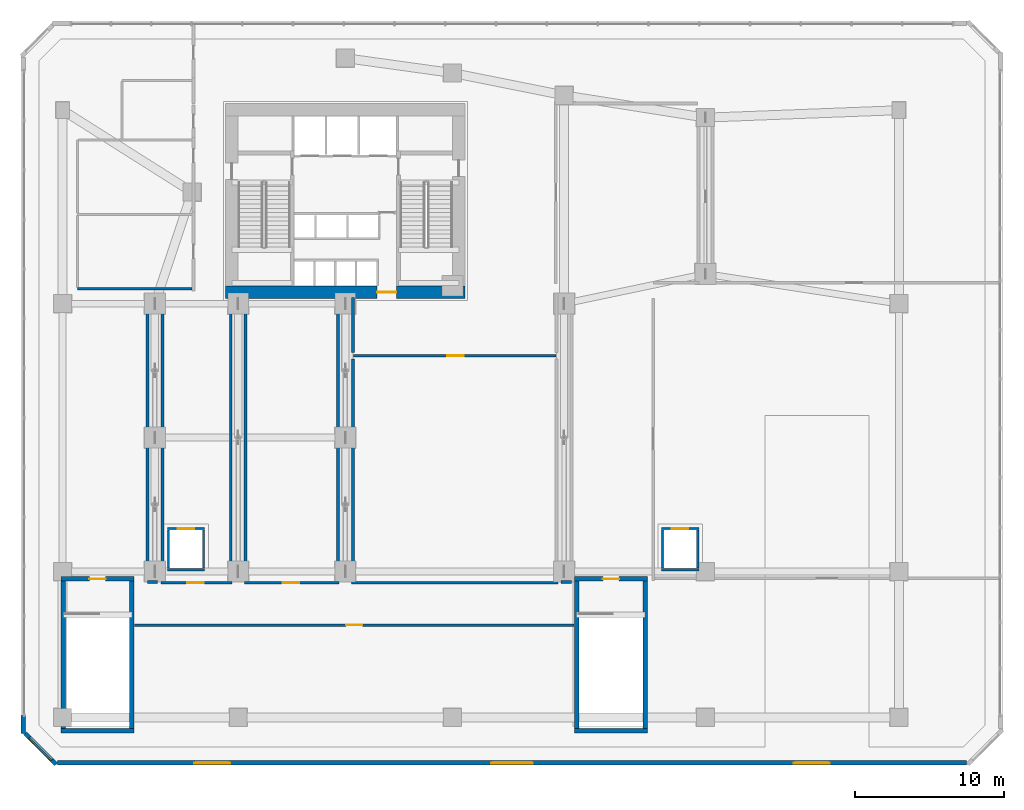
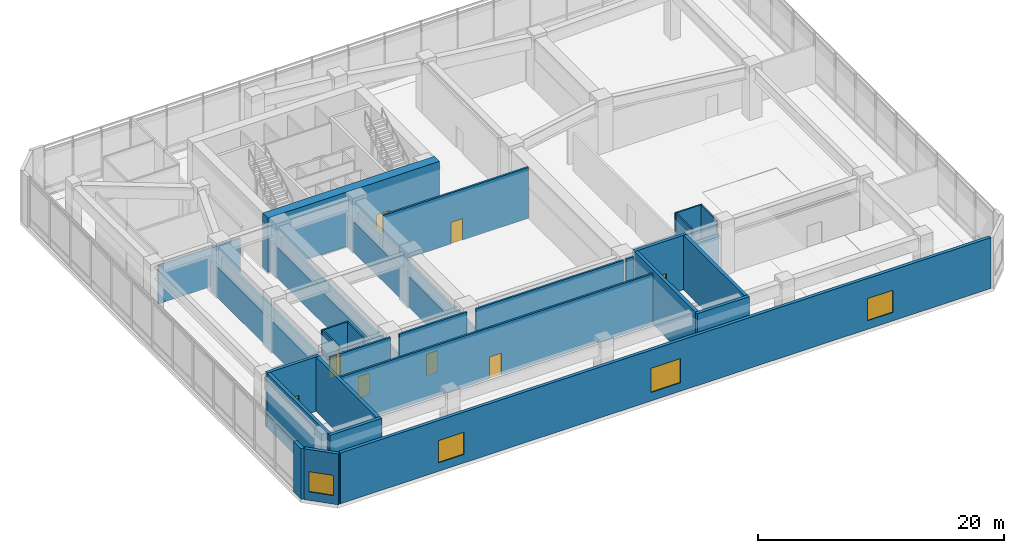
# One storey, part 16 of 21: 35 walls, 9 doors, 4 windows, 13 openings.
"""IFC4 building model written with IfcOpenShell, lengths in metres."""

from ifc_helpers import new_model, si_unit, direction, frame, frame_2d, origin, place, context, subcontext, project, spatial, rectangle, extrude, source, transform, mapped, material, layer, layer_set, type_object, element, fill, save


model = new_model("IFC4")

# Units and contexts
model_context = context("Model", 3, precision=1e-05, world=origin(), true_north=direction((0.0, 1.0)))
body_context = subcontext(model_context, "Body", "Model", "MODEL_VIEW")
ifc_project = project(units=[si_unit("LENGTHUNIT", "METRE"), si_unit("AREAUNIT", "SQUARE_METRE"), si_unit("VOLUMEUNIT", "CUBIC_METRE"), si_unit("PLANEANGLEUNIT", "RADIAN"), si_unit("MASSUNIT", "GRAM", prefix="KILO")], contexts=[model_context])

# Site, building, storey
site_placement = place(None, origin())
site = spatial("IfcSite", under=ifc_project, at=site_placement, CompositionType="ELEMENT")
building_placement = place(site_placement, origin())
building = spatial("IfcBuilding", under=site, at=building_placement, Name="Calvemar Wedge Station Tower", CompositionType="ELEMENT")
storey_placement = place(building_placement, frame((0.0, 0.0, 21.60009765625)))
storey = spatial("IfcBuildingStorey", under=building, at=storey_placement, Name="L05", CompositionType="ELEMENT", Elevation=21.60009765625)

# Walls
ifc_material_1 = material(Name="Concrete C50", Category="concrete")
ifc_layer_1 = layer(ifc_material_1, 0.300048828125)
ifc_layer_set_1 = layer_set([ifc_layer_1], Name="Concrete C50")
wall_type_1 = type_object("IfcWallType", Name="SW-CORE-300", PredefinedType="SHEAR", material=ifc_layer_set_1)
for number, where, z_axis, x_axis, name in (
    (1, (4.85009765625, 4.449951171875, 0.0), (0.0, 0.0, 1.0), (0.0, 1.0, 0.0), "Storey L05 Podium Stair STP1 Structural Wall W"),
    (2, (9.449951171875, 4.449951171875, 0.0), (0.0, 0.0, 1.0), (0.0, 1.0, 0.0), "Storey L05 Podium Stair STP1 Structural Wall E"),
):
    element("IfcWall", number, at=place(storey_placement, frame(where, z_axis=z_axis, x_axis=x_axis)), inside=storey, type_object=wall_type_1, Name=name, PredefinedType="SHEAR", context=body_context, shape_type="SweptSolid", body=[
        extrude(rectangle(XDim=9.900146484375, YDim=0.300048828125, at=frame_2d((4.9501953125, 0.0))), origin(), (0.0, 0.0, 1.0), 5.39990234375),
    ])
wall_1_placement = place(storey_placement, frame((4.699951171875, 4.300048828125, 0.0), z_axis=(0.0, 0.0, 1.0), x_axis=(1.0, 0.0, 0.0)))
element("IfcWall", 3, at=wall_1_placement, inside=storey, type_object=wall_type_1, Name="Storey L05 Podium Stair STP1 Structural Wall S", PredefinedType="SHEAR", context=body_context, shape_type="SweptSolid", body=[
    extrude(rectangle(XDim=4.900146484375, YDim=0.300048828125, at=frame_2d((2.4501953125, 0.0))), origin(), (0.0, 0.0, 1.0), 5.39990234375),
])

# Wall, opening, door
wall_2_placement = place(storey_placement, frame((4.699951171875, 14.5, 0.0), z_axis=(0.0, 0.0, 1.0), x_axis=(1.0, 0.0, 0.0)))
wall_2 = element("IfcWall", 4, at=wall_2_placement, inside=storey, type_object=wall_type_1, Name="Storey L05 Podium Stair STP1 Structural Wall N", PredefinedType="SHEAR", context=body_context, shape_type="SweptSolid", body=[
    extrude(rectangle(XDim=4.900146484375, YDim=0.300048828125, at=frame_2d((2.4501953125, 0.0))), origin(), (0.0, 0.0, 1.0), 5.39990234375),
])
shared_shape_1 = source(origin(), body_context, "Body", "SweptSolid", [
    extrude(rectangle(XDim=1.10009765625, YDim=2.14990234375, at=frame_2d((0.550048828125, 1.074951171875))), frame((0.0, 0.16015625, 0.0), z_axis=(0.0, -1.0, 0.0), x_axis=(1.0, 0.0, 0.0)), (0.0, 0.0, 1.0), 0.320068359375),
])
opening_1_placement = place(wall_2_placement, frame((1.89990234375, 0.0, 0.0)))
opening_1 = element("IfcOpeningElement", 5, at=opening_1_placement, cuts=wall_2, Name="Opening FD-90", PredefinedType="OPENING", context=body_context, shape_type="MappedRepresentation", body=[
    mapped(shared_shape_1, transform((0.0, 0.0, 0.0), scale=1.0)),
])
ifc_material_2 = material(Name="Galvanized fire-rated steel door leaf P-90", Category="steel")
door_type_1 = type_object("IfcDoorType", Name="DR-FD90-1100", OperationType="NOTDEFINED", PredefinedType="DOOR", material=ifc_material_2)
shared_shape_2 = source(origin(), body_context, "Body", "SweptSolid", [
    extrude(rectangle(XDim=1.10009765625, YDim=2.14990234375, at=frame_2d((0.550048828125, 1.074951171875))), frame((0.0, 0.02490234375, 0.0), z_axis=(0.0, -1.0, 0.0), x_axis=(1.0, 0.0, 0.0)), (0.0, 0.0, 1.0), 0.050048828125),
])
door_1_placement = place(opening_1_placement, origin())
door_1 = element("IfcDoor", 6, at=door_1_placement, inside=storey, type_object=door_type_1, Name="L05 Exit Stair ST-P1 Door", OperationType="SINGLE_SWING_RIGHT", OverallHeight=2.14990234375, OverallWidth=1.10009765625, PredefinedType="DOOR", context=body_context, shape_type="MappedRepresentation", body=[
    mapped(shared_shape_2, transform((0.0, 0.0, 0.0), scale=1.0)),
])
fill(opening_1, door_1)

# Walls
for number, where, z_axis, x_axis, name in (
    (7, (39.35009765625, 4.449951171875, 0.0), (0.0, 0.0, 1.0), (0.0, 1.0, 0.0), "Storey L05 Podium Stair STP2 Structural Wall W"),
    (8, (43.949951171875, 4.449951171875, 0.0), (0.0, 0.0, 1.0), (0.0, 1.0, 0.0), "Storey L05 Podium Stair STP2 Structural Wall E"),
):
    element("IfcWall", number, at=place(storey_placement, frame(where, z_axis=z_axis, x_axis=x_axis)), inside=storey, type_object=wall_type_1, Name=name, PredefinedType="SHEAR", context=body_context, shape_type="SweptSolid", body=[
        extrude(rectangle(XDim=9.900146484375, YDim=0.300048828125, at=frame_2d((4.9501953125, 0.0))), origin(), (0.0, 0.0, 1.0), 5.39990234375),
    ])
wall_3_placement = place(storey_placement, frame((39.199951171875, 4.300048828125, 0.0), z_axis=(0.0, 0.0, 1.0), x_axis=(1.0, 0.0, 0.0)))
element("IfcWall", 9, at=wall_3_placement, inside=storey, type_object=wall_type_1, Name="Storey L05 Podium Stair STP2 Structural Wall S", PredefinedType="SHEAR", context=body_context, shape_type="SweptSolid", body=[
    extrude(rectangle(XDim=4.900146484375, YDim=0.300048828125, at=frame_2d((2.4501953125, 0.0))), origin(), (0.0, 0.0, 1.0), 5.39990234375),
])

# Wall, opening, door
wall_4_placement = place(storey_placement, frame((39.199951171875, 14.5, 0.0), z_axis=(0.0, 0.0, 1.0), x_axis=(1.0, 0.0, 0.0)))
wall_4 = element("IfcWall", 10, at=wall_4_placement, inside=storey, type_object=wall_type_1, Name="Storey L05 Podium Stair STP2 Structural Wall N", PredefinedType="SHEAR", context=body_context, shape_type="SweptSolid", body=[
    extrude(rectangle(XDim=4.900146484375, YDim=0.300048828125, at=frame_2d((2.4501953125, 0.0))), origin(), (0.0, 0.0, 1.0), 5.39990234375),
])
opening_2_placement = place(wall_4_placement, frame((1.89990234375, 0.0, 0.0)))
opening_2 = element("IfcOpeningElement", 11, at=opening_2_placement, cuts=wall_4, Name="Opening FD-90", PredefinedType="OPENING", context=body_context, shape_type="MappedRepresentation", body=[
    mapped(shared_shape_1, transform((0.0, 0.0, 0.0), scale=1.0)),
])
door_2_placement = place(opening_2_placement, origin())
door_2 = element("IfcDoor", 12, at=door_2_placement, inside=storey, type_object=door_type_1, Name="L05 Exit Stair ST-P2 Door", OperationType="SINGLE_SWING_LEFT", OverallHeight=2.14990234375, OverallWidth=1.10009765625, PredefinedType="DOOR", context=body_context, shape_type="MappedRepresentation", body=[
    mapped(shared_shape_2, transform((0.0, 0.0, 0.0), scale=1.0)),
])
fill(opening_2, door_2)

ifc_material_3 = material(Name="Concrete C80", Category="concrete")
ifc_layer_2 = layer(ifc_material_3, 0.85009765625)
ifc_layer_set_2 = layer_set([ifc_layer_2], Name="Concrete C80")
wall_type_2 = type_object("IfcWallType", Name="SW-CORE-850", PredefinedType="SHEAR", material=ifc_layer_set_2)
wall_5_placement = place(storey_placement, frame((15.75, 33.77490234375, 0.0), z_axis=(0.0, 0.0, 1.0), x_axis=(1.0, 0.0, 0.0)))
wall_5 = element("IfcWall", 13, at=wall_5_placement, inside=storey, type_object=wall_type_2, Name="Storey L05 Core Shear Wall S", PredefinedType="SHEAR", context=body_context, shape_type="SweptSolid", body=[
    extrude(rectangle(XDim=16.10009765625, YDim=0.85009765625, at=frame_2d((8.050048828125, 0.0))), origin(), (0.0, 0.0, 1.0), 5.39990234375),
])
shared_shape_3 = source(origin(), body_context, "Body", "SweptSolid", [
    extrude(rectangle(XDim=1.300048828125, YDim=2.14990234375, at=frame_2d((0.64990234375, 1.074951171875))), frame((0.0, 0.43505859375, 0.0), z_axis=(0.0, -1.0, 0.0), x_axis=(1.0, 0.0, 0.0)), (0.0, 0.0, 1.0), 0.8701171875),
])
opening_3_placement = place(wall_5_placement, frame((10.179931640625, 0.0, 0.0)))
opening_3 = element("IfcOpeningElement", 14, at=opening_3_placement, cuts=wall_5, Name="Opening DD-130", PredefinedType="OPENING", context=body_context, shape_type="MappedRepresentation", body=[
    mapped(shared_shape_3, transform((0.0, 0.0, 0.0), scale=1.0)),
])
ifc_material_4 = material(Name="Double-leaf lift lobby fire door EI 60")
door_type_2 = type_object("IfcDoorType", Name="DR-DBL-1300", OperationType="DOUBLE_DOOR_SINGLE_SWING", PredefinedType="DOOR", material=ifc_material_4)
shared_shape_4 = source(origin(), body_context, "Body", "SweptSolid", [
    extrude(rectangle(XDim=1.300048828125, YDim=2.14990234375, at=frame_2d((0.64990234375, 1.074951171875))), frame((0.0, 0.02490234375, 0.0), z_axis=(0.0, -1.0, 0.0), x_axis=(1.0, 0.0, 0.0)), (0.0, 0.0, 1.0), 0.050048828125),
])
door_3_placement = place(opening_3_placement, origin())
door_3 = element("IfcDoor", 15, at=door_3_placement, inside=storey, type_object=door_type_2, Name="L05 Passenger Lift Lobby Door", OperationType="DOUBLE_DOOR_SINGLE_SWING", OverallHeight=2.14990234375, OverallWidth=1.300048828125, PredefinedType="DOOR", context=body_context, shape_type="MappedRepresentation", body=[
    mapped(shared_shape_4, transform((0.0, 0.0, 0.0), scale=1.0)),
])
fill(opening_3, door_3)

ifc_material_5 = material(Name="Double-stud fire-rated corridor partition")
ifc_layer_3 = layer(ifc_material_5, 0.179931640625)
ifc_layer_set_3 = layer_set([ifc_layer_3], Name="Double-stud fire-rated corridor partition")
wall_type_3 = type_object("IfcWallType", Name="W-CORR-180", PredefinedType="PARTITIONING", material=ifc_layer_set_3)
wall_6_placement = place(storey_placement, frame((11.42529296875, 14.25, 0.0), z_axis=(0.0, 0.0, 1.0), x_axis=(1.0, 0.0, 0.0)))
wall_6 = element("IfcWall", 16, at=wall_6_placement, inside=storey, type_object=wall_type_3, Name="Storey L05 Interior Partition WL-L05-002", PredefinedType="PARTITIONING", context=body_context, shape_type="SweptSolid", body=[
    extrude(rectangle(XDim=4.74951171875, YDim=0.179931640625, at=frame_2d((2.374755859375, 0.0))), origin(), (0.0, 0.0, 1.0), 5.0498046875),
])
shared_shape_5 = source(origin(), body_context, "Body", "SweptSolid", [
    extrude(rectangle(XDim=1.10009765625, YDim=2.14990234375, at=frame_2d((0.550048828125, 1.074951171875))), frame((0.0, 0.10009765625, 0.0), z_axis=(0.0, -1.0, 0.0), x_axis=(1.0, 0.0, 0.0)), (0.0, 0.0, 1.0), 0.199951171875),
])
opening_4_placement = place(wall_6_placement, frame((1.762939453125, 0.0, 0.0)))
opening_4 = element("IfcOpeningElement", 17, at=opening_4_placement, cuts=wall_6, Name="Opening FD-90", PredefinedType="OPENING", context=body_context, shape_type="MappedRepresentation", body=[
    mapped(shared_shape_5, transform((0.0, 0.0, 0.0), scale=1.0)),
])
door_4_placement = place(opening_4_placement, origin())
door_4 = element("IfcDoor", 18, at=door_4_placement, inside=storey, type_object=door_type_1, Name="L05 West Warren Truss Switchgear Room Door", OperationType="SINGLE_SWING_LEFT", OverallHeight=2.14990234375, OverallWidth=1.10009765625, PredefinedType="DOOR", context=body_context, shape_type="MappedRepresentation", body=[
    mapped(shared_shape_2, transform((0.0, 0.0, 0.0), scale=1.0)),
])
fill(opening_4, door_4)

wall_7_placement = place(storey_placement, frame((17.025146484375, 14.25, 0.0), z_axis=(0.0, 0.0, 1.0), x_axis=(1.0, 0.0, 0.0)))
wall_7 = element("IfcWall", 19, at=wall_7_placement, inside=storey, type_object=wall_type_3, Name="Storey L05 Interior Partition WL-L05-003", PredefinedType="PARTITIONING", context=body_context, shape_type="SweptSolid", body=[
    extrude(rectangle(XDim=6.349609375, YDim=0.179931640625, at=frame_2d((3.1748046875, 0.0))), origin(), (0.0, 0.0, 1.0), 5.0498046875),
])
opening_5_placement = place(wall_7_placement, frame((2.564697265625, 0.0, 0.0)))
opening_5 = element("IfcOpeningElement", 20, at=opening_5_placement, cuts=wall_7, Name="Opening FD-90", PredefinedType="OPENING", context=body_context, shape_type="MappedRepresentation", body=[
    mapped(shared_shape_5, transform((0.0, 0.0, 0.0), scale=1.0)),
])
door_5_placement = place(opening_5_placement, origin())
door_5 = element("IfcDoor", 21, at=door_5_placement, inside=storey, type_object=door_type_1, Name="L05 Central Warren Truss Mechanical Plant Room Door", OperationType="SINGLE_SWING_RIGHT", OverallHeight=2.14990234375, OverallWidth=1.10009765625, PredefinedType="DOOR", context=body_context, shape_type="MappedRepresentation", body=[
    mapped(shared_shape_2, transform((0.0, 0.0, 0.0), scale=1.0)),
])
fill(opening_5, door_5)

# Wall
wall_8_placement = place(storey_placement, frame((24.22509765625, 14.25, 0.0), z_axis=(0.0, 0.0, 1.0), x_axis=(1.0, 0.0, 0.0)))
element("IfcWall", 22, at=wall_8_placement, inside=storey, type_object=wall_type_3, Name="Storey L05 Interior Partition WL-L05-004", PredefinedType="PARTITIONING", context=body_context, shape_type="SweptSolid", body=[
    extrude(rectangle(XDim=13.849609375, YDim=0.179931640625, at=frame_2d((6.9248046875, 0.0))), origin(), (0.0, 0.0, 1.0), 5.0498046875),
])

# Wall, opening, door
wall_9_placement = place(storey_placement, frame((39.179931640625, 11.39990234375, 0.0), z_axis=(0.0, 0.0, 1.0), x_axis=(-1.0, 0.0, 0.0)))
wall_9 = element("IfcWall", 23, at=wall_9_placement, inside=storey, type_object=wall_type_3, Name="Storey L05 Interior Partition WL-L05-005", PredefinedType="PARTITIONING", context=body_context, shape_type="SweptSolid", body=[
    extrude(rectangle(XDim=29.559814453125, YDim=0.179931640625, at=frame_2d((14.77978515625, 0.0))), origin(), (0.0, 0.0, 1.0), 5.0498046875),
])
opening_6_placement = place(wall_9_placement, frame((14.22998046875, 0.0, 0.0)))
opening_6 = element("IfcOpeningElement", 24, at=opening_6_placement, cuts=wall_9, Name="Opening FD-90", PredefinedType="OPENING", context=body_context, shape_type="MappedRepresentation", body=[
    mapped(shared_shape_5, transform((0.0, 0.0, 0.0), scale=1.0)),
])
door_6_placement = place(opening_6_placement, origin())
door_6 = element("IfcDoor", 25, at=door_6_placement, inside=storey, type_object=door_type_1, Name="L05 Transfer Booster Pump Plant Room Door", OperationType="SINGLE_SWING_RIGHT", OverallHeight=2.14990234375, OverallWidth=1.10009765625, PredefinedType="DOOR", context=body_context, shape_type="MappedRepresentation", body=[
    mapped(shared_shape_2, transform((0.0, 0.0, 0.0), scale=1.0)),
])
fill(opening_6, door_6)

wall_10_placement = place(storey_placement, frame((37.949951171875, 29.5, 0.0), z_axis=(0.0, 0.0, 1.0), x_axis=(-1.0, 0.0, 0.0)))
wall_10 = element("IfcWall", 26, at=wall_10_placement, inside=storey, type_object=wall_type_3, Name="Storey L05 Interior Partition WL-L05-006", PredefinedType="PARTITIONING", context=body_context, shape_type="SweptSolid", body=[
    extrude(rectangle(XDim=13.599853515625, YDim=0.179931640625, at=frame_2d((6.7998046875, 0.0))), origin(), (0.0, 0.0, 1.0), 5.0498046875),
])
opening_7_placement = place(wall_10_placement, frame((6.189697265625, 0.0, 0.0)))
opening_7 = element("IfcOpeningElement", 27, at=opening_7_placement, cuts=wall_10, Name="Opening FD-90", PredefinedType="OPENING", context=body_context, shape_type="MappedRepresentation", body=[
    mapped(shared_shape_5, transform((0.0, 0.0, 0.0), scale=1.0)),
])
door_7_placement = place(opening_7_placement, origin())
door_7 = element("IfcDoor", 28, at=door_7_placement, inside=storey, type_object=door_type_1, Name="L05 East Transfer Chilled Water Plant Room Door", OperationType="SINGLE_SWING_LEFT", OverallHeight=2.14990234375, OverallWidth=1.10009765625, PredefinedType="DOOR", context=body_context, shape_type="MappedRepresentation", body=[
    mapped(shared_shape_2, transform((0.0, 0.0, 0.0), scale=1.0)),
])
fill(opening_7, door_7)

# Wall
ifc_material_6 = material(Name="Precast concrete C45", Category="concrete")
ifc_layer_4 = layer(ifc_material_6, 0.300048828125)
ifc_layer_set_4 = layer_set([ifc_layer_4], Name="Precast concrete C45")
wall_type_4 = type_object("IfcWallType", Name="W-EXT-GFRC-300", PredefinedType="SOLIDWALL", material=ifc_layer_set_4)
wall_11_placement = place(storey_placement, frame((2.14990234375, 5.334716796875, 0.0), z_axis=(0.0, 0.0, 1.0), x_axis=(0.0, -1.0, 0.0)))
element("IfcWall", 29, at=wall_11_placement, inside=storey, type_object=wall_type_4, Name="Storey L05 Bronze GFRC Corner Pier 6B", PredefinedType="SOLIDWALL", context=body_context, shape_type="SweptSolid", body=[
    extrude(rectangle(XDim=1.22265625, YDim=0.300048828125, at=frame_2d((0.611328125, 0.0))), origin(), (0.0, 0.0, 1.0), 5.0498046875),
])

# Wall, opening, window
wall_12_placement = place(storey_placement, frame((2.2880859375, 4.1240234375, 0.0), z_axis=(0.0, 0.0, 1.0), x_axis=(0.707106781187, -0.707106781187, 0.0)))
wall_12 = element("IfcWall", 30, at=wall_12_placement, inside=storey, type_object=wall_type_4, Name="Storey L05 Bronze GFRC Exterior Wall 7", PredefinedType="SOLIDWALL", context=body_context, shape_type="SweptSolid", body=[
    extrude(rectangle(XDim=2.941650390625, YDim=0.300048828125, at=frame_2d((1.470703125, 0.0))), origin(), (0.0, 0.0, 1.0), 5.0498046875),
])
shared_shape_6 = source(origin(), body_context, "Body", "SweptSolid", [
    extrude(rectangle(XDim=2.10009765625, YDim=2.0, at=frame_2d((1.050048828125, 1.0))), frame((0.0, 0.16015625, 0.0), z_axis=(0.0, -1.0, 0.0), x_axis=(1.0, 0.0, 0.0)), (0.0, 0.0, 1.0), 0.320068359375),
])
opening_8_placement = place(wall_12_placement, frame((0.4208984375, 0.0, 0.85009765625)))
opening_8 = element("IfcOpeningElement", 31, at=opening_8_placement, cuts=wall_12, Name="Opening W4", PredefinedType="OPENING", context=body_context, shape_type="MappedRepresentation", body=[
    mapped(shared_shape_6, transform((0.0, 0.0, 0.0), scale=1.0)),
])
ifc_material_7 = material(Name="Low-E laminated insulated glass", Category="glass")
window_type_1 = type_object("IfcWindowType", Name="WIN-EXT-4", PartitioningType="SINGLE_PANEL", PredefinedType="WINDOW", material=ifc_material_7)
shared_shape_7 = source(origin(), body_context, "Body", "SweptSolid", [
    extrude(rectangle(XDim=2.10009765625, YDim=2.0, at=frame_2d((1.050048828125, 1.0))), frame((0.0, -0.014892578125, 0.0), z_axis=(0.0, -1.0, 0.0), x_axis=(1.0, 0.0, 0.0)), (0.0, 0.0, 1.0), 0.06005859375),
])
window_1_placement = place(opening_8_placement, origin())
window_1 = element("IfcWindow", 32, at=window_1_placement, inside=storey, type_object=window_type_1, Name="Storey L05 Recessed Window 7.1", OverallHeight=2.0, OverallWidth=2.10009765625, PartitioningType="SINGLE_PANEL", PredefinedType="WINDOW", context=body_context, shape_type="MappedRepresentation", body=[
    mapped(shared_shape_7, transform((0.0, 0.0, 0.0), scale=1.0)),
])
fill(opening_8, window_1)

# Wall, openings, windows
wall_13_placement = place(storey_placement, frame((4.457275390625, 2.14990234375, 0.0), z_axis=(0.0, 0.0, 1.0), x_axis=(1.0, 0.0, 0.0)))
wall_13 = element("IfcWall", 33, at=wall_13_placement, inside=storey, type_object=wall_type_4, Name="Storey L05 Bronze GFRC Exterior Wall 8", PredefinedType="SOLIDWALL", context=body_context, shape_type="SweptSolid", body=[
    extrude(rectangle(XDim=61.08544921875, YDim=0.300048828125, at=frame_2d((30.542724609375, 0.0))), origin(), (0.0, 0.0, 1.0), 5.0498046875),
])
shared_shape_8 = source(origin(), body_context, "Body", "SweptSolid", [
    extrude(rectangle(XDim=2.39990234375, YDim=2.199951171875, at=frame_2d((1.199951171875, 1.10009765625))), frame((0.0, 0.16015625, 0.0), z_axis=(0.0, -1.0, 0.0), x_axis=(1.0, 0.0, 0.0)), (0.0, 0.0, 1.0), 0.320068359375),
])
opening_9_placement = place(wall_13_placement, frame((9.194091796875, 0.0, 0.85009765625)))
opening_9 = element("IfcOpeningElement", 34, at=opening_9_placement, cuts=wall_13, Name="Opening W1", PredefinedType="OPENING", context=body_context, shape_type="MappedRepresentation", body=[
    mapped(shared_shape_8, transform((0.0, 0.0, 0.0), scale=1.0)),
])
shared_shape_9 = source(origin(), body_context, "Body", "SweptSolid", [
    extrude(rectangle(XDim=2.800048828125, YDim=2.39990234375, at=frame_2d((1.39990234375, 1.199951171875))), frame((0.0, 0.16015625, 0.0), z_axis=(0.0, -1.0, 0.0), x_axis=(1.0, 0.0, 0.0)), (0.0, 0.0, 1.0), 0.320068359375),
])
opening_10_placement = place(wall_13_placement, frame((29.14306640625, 0.0, 0.85009765625)))
opening_10 = element("IfcOpeningElement", 35, at=opening_10_placement, cuts=wall_13, Name="Opening W6", PredefinedType="OPENING", context=body_context, shape_type="MappedRepresentation", body=[
    mapped(shared_shape_9, transform((0.0, 0.0, 0.0), scale=1.0)),
])
opening_11_placement = place(wall_13_placement, frame((49.490966796875, 0.0, 0.85009765625)))
opening_11 = element("IfcOpeningElement", 36, at=opening_11_placement, cuts=wall_13, Name="Opening W1", PredefinedType="OPENING", context=body_context, shape_type="MappedRepresentation", body=[
    mapped(shared_shape_8, transform((0.0, 0.0, 0.0), scale=1.0)),
])
window_type_2 = type_object("IfcWindowType", Name="WIN-EXT-6", PartitioningType="SINGLE_PANEL", PredefinedType="WINDOW", material=ifc_material_7)
shared_shape_10 = source(origin(), body_context, "Body", "SweptSolid", [
    extrude(rectangle(XDim=2.800048828125, YDim=2.39990234375, at=frame_2d((1.39990234375, 1.199951171875))), frame((0.0, -0.014892578125, 0.0), z_axis=(0.0, -1.0, 0.0), x_axis=(1.0, 0.0, 0.0)), (0.0, 0.0, 1.0), 0.06005859375),
])
window_2_placement = place(opening_10_placement, origin())
window_2 = element("IfcWindow", 37, at=window_2_placement, inside=storey, type_object=window_type_2, Name="Storey L05 Recessed Window 8.2", OverallHeight=2.39990234375, OverallWidth=2.800048828125, PartitioningType="SINGLE_PANEL", PredefinedType="WINDOW", context=body_context, shape_type="MappedRepresentation", body=[
    mapped(shared_shape_10, transform((0.0, 0.0, 0.0), scale=1.0)),
])
fill(opening_10, window_2)
window_type_3 = type_object("IfcWindowType", Name="WIN-EXT-1", PartitioningType="SINGLE_PANEL", PredefinedType="WINDOW", material=ifc_material_7)
shared_shape_11 = source(origin(), body_context, "Body", "SweptSolid", [
    extrude(rectangle(XDim=2.39990234375, YDim=2.199951171875, at=frame_2d((1.199951171875, 1.10009765625))), frame((0.0, -0.014892578125, 0.0), z_axis=(0.0, -1.0, 0.0), x_axis=(1.0, 0.0, 0.0)), (0.0, 0.0, 1.0), 0.06005859375),
])
window_3_placement = place(opening_9_placement, origin())
window_3 = element("IfcWindow", 38, at=window_3_placement, inside=storey, type_object=window_type_3, Name="Storey L05 Recessed Window 8.1", OverallHeight=2.199951171875, OverallWidth=2.39990234375, PartitioningType="SINGLE_PANEL", PredefinedType="WINDOW", context=body_context, shape_type="MappedRepresentation", body=[
    mapped(shared_shape_11, transform((0.0, 0.0, 0.0), scale=1.0)),
])
fill(opening_9, window_3)
window_4_placement = place(opening_11_placement, origin())
window_4 = element("IfcWindow", 39, at=window_4_placement, inside=storey, type_object=window_type_3, Name="Storey L05 Recessed Window 8.3", OverallHeight=2.199951171875, OverallWidth=2.39990234375, PartitioningType="SINGLE_PANEL", PredefinedType="WINDOW", context=body_context, shape_type="MappedRepresentation", body=[
    mapped(shared_shape_11, transform((0.0, 0.0, 0.0), scale=1.0)),
])
fill(opening_11, window_4)

# Wall, opening, door
ifc_material_8 = material(Name="Reinforced concrete blockwork lift shaft wall", Category="masonry")
ifc_layer_5 = layer(ifc_material_8, 0.139892578125)
ifc_layer_set_5 = layer_set([ifc_layer_5], Name="Reinforced concrete blockwork lift shaft wall")
wall_type_5 = type_object("IfcWallType", Name="W-LIFT-160", PredefinedType="SOLIDWALL", material=ifc_layer_set_5)
wall_14_placement = place(storey_placement, frame((11.85009765625, 17.8798828125, 0.0), z_axis=(0.0, 0.0, 1.0), x_axis=(1.0, 0.0, 0.0)))
wall_14 = element("IfcWall", 40, at=wall_14_placement, inside=storey, type_object=wall_type_5, Name="Storey L05 Station Lift SL-01 Shaft Wall N", PredefinedType="SOLIDWALL", context=body_context, shape_type="SweptSolid", body=[
    extrude(rectangle(XDim=2.5, YDim=0.139892578125, at=frame_2d((1.25, 0.0))), origin(), (0.0, 0.0, 1.0), 5.0498046875),
])
shared_shape_12 = source(origin(), body_context, "Body", "SweptSolid", [
    extrude(rectangle(XDim=1.10009765625, YDim=2.14990234375, at=frame_2d((0.550048828125, 1.074951171875))), frame((0.0, 0.080078125, 0.0), z_axis=(0.0, -1.0, 0.0), x_axis=(1.0, 0.0, 0.0)), (0.0, 0.0, 1.0), 0.159912109375),
])
opening_12_placement = place(wall_14_placement, frame((0.699951171875, 0.0, 0.0)))
opening_12 = element("IfcOpeningElement", 41, at=opening_12_placement, cuts=wall_14, Name="Opening LD-STN", PredefinedType="OPENING", context=body_context, shape_type="MappedRepresentation", body=[
    mapped(shared_shape_12, transform((0.0, 0.0, 0.0), scale=1.0)),
])
ifc_material_9 = material(Name="Stainless steel transit lift sliding landing door", Category="steel")
door_type_3 = type_object("IfcDoorType", Name="DR-LD-PAX-1100", OperationType="SLIDING_TO_LEFT", PredefinedType="DOOR", material=ifc_material_9)
shared_shape_13 = source(origin(), body_context, "Body", "SweptSolid", [
    extrude(rectangle(XDim=1.10009765625, YDim=2.14990234375, at=frame_2d((0.550048828125, 1.074951171875))), frame((0.0, 0.02490234375, 0.0), z_axis=(0.0, -1.0, 0.0), x_axis=(1.0, 0.0, 0.0)), (0.0, 0.0, 1.0), 0.050048828125),
])
door_8_placement = place(opening_12_placement, origin())
door_8 = element("IfcDoor", 42, at=door_8_placement, inside=storey, type_object=door_type_3, Name="L05 Station Lift SL-01 Sliding Landing Door", OperationType="SLIDING_TO_LEFT", OverallHeight=2.14990234375, OverallWidth=1.10009765625, PredefinedType="DOOR", context=body_context, shape_type="MappedRepresentation", body=[
    mapped(shared_shape_13, transform((0.0, 0.0, 0.0), scale=1.0)),
])
fill(opening_12, door_8)

# Walls
wall_15_placement = place(storey_placement, frame((11.85009765625, 15.1201171875, 0.0), z_axis=(0.0, 0.0, 1.0), x_axis=(1.0, 0.0, 0.0)))
element("IfcWall", 43, at=wall_15_placement, inside=storey, type_object=wall_type_5, Name="Storey L05 Station Lift SL-01 Shaft Wall S", PredefinedType="SOLIDWALL", context=body_context, shape_type="SweptSolid", body=[
    extrude(rectangle(XDim=2.5, YDim=0.139892578125, at=frame_2d((1.25, 0.0))), origin(), (0.0, 0.0, 1.0), 3.822021484375),
])
for number, where, z_axis, x_axis, name in (
    (44, (11.919921875, 15.219970703125, 0.0), (0.0, 0.0, 1.0), (0.0, 1.0, 0.0), "Storey L05 Station Lift SL-01 Shaft Wall W"),
    (45, (14.280029296875, 15.219970703125, 0.0), (0.0, 0.0, 1.0), (0.0, 1.0, 0.0), "Storey L05 Station Lift SL-01 Shaft Wall E"),
):
    element("IfcWall", number, at=place(storey_placement, frame(where, z_axis=z_axis, x_axis=x_axis)), inside=storey, type_object=wall_type_5, Name=name, PredefinedType="SOLIDWALL", context=body_context, shape_type="SweptSolid", body=[
        extrude(rectangle(XDim=2.56005859375, YDim=0.139892578125, at=frame_2d((1.280029296875, 0.0))), origin(), (0.0, 0.0, 1.0), 5.0498046875),
    ])

# Wall, opening, door
wall_16_placement = place(storey_placement, frame((45.050048828125, 17.8798828125, 0.0), z_axis=(0.0, 0.0, 1.0), x_axis=(1.0, 0.0, 0.0)))
wall_16 = element("IfcWall", 46, at=wall_16_placement, inside=storey, type_object=wall_type_5, Name="Storey L05 Station Lift SL-02 Shaft Wall N", PredefinedType="SOLIDWALL", context=body_context, shape_type="SweptSolid", body=[
    extrude(rectangle(XDim=2.5, YDim=0.139892578125, at=frame_2d((1.25, 0.0))), origin(), (0.0, 0.0, 1.0), 5.0498046875),
])
opening_13_placement = place(wall_16_placement, frame((0.699951171875, 0.0, 0.0)))
opening_13 = element("IfcOpeningElement", 47, at=opening_13_placement, cuts=wall_16, Name="Opening LD-STN", PredefinedType="OPENING", context=body_context, shape_type="MappedRepresentation", body=[
    mapped(shared_shape_12, transform((0.0, 0.0, 0.0), scale=1.0)),
])
door_9_placement = place(opening_13_placement, origin())
door_9 = element("IfcDoor", 48, at=door_9_placement, inside=storey, type_object=door_type_3, Name="L05 Station Lift SL-02 Sliding Landing Door", OperationType="SLIDING_TO_RIGHT", OverallHeight=2.14990234375, OverallWidth=1.10009765625, PredefinedType="DOOR", context=body_context, shape_type="MappedRepresentation", body=[
    mapped(shared_shape_13, transform((0.0, 0.0, 0.0), scale=1.0)),
])
fill(opening_13, door_9)

# Walls
wall_17_placement = place(storey_placement, frame((45.050048828125, 15.1201171875, 0.0), z_axis=(0.0, 0.0, 1.0), x_axis=(1.0, 0.0, 0.0)))
element("IfcWall", 49, at=wall_17_placement, inside=storey, type_object=wall_type_5, Name="Storey L05 Station Lift SL-02 Shaft Wall S", PredefinedType="SOLIDWALL", context=body_context, shape_type="SweptSolid", body=[
    extrude(rectangle(XDim=2.5, YDim=0.139892578125, at=frame_2d((1.25, 0.0))), origin(), (0.0, 0.0, 1.0), 3.822021484375),
])
for number, where, z_axis, x_axis, name in (
    (50, (45.1201171875, 15.219970703125, 0.0), (0.0, 0.0, 1.0), (0.0, 1.0, 0.0), "Storey L05 Station Lift SL-02 Shaft Wall W"),
    (51, (47.47998046875, 15.219970703125, 0.0), (0.0, 0.0, 1.0), (0.0, 1.0, 0.0), "Storey L05 Station Lift SL-02 Shaft Wall E"),
):
    element("IfcWall", number, at=place(storey_placement, frame(where, z_axis=z_axis, x_axis=x_axis)), inside=storey, type_object=wall_type_5, Name=name, PredefinedType="SOLIDWALL", context=body_context, shape_type="SweptSolid", body=[
        extrude(rectangle(XDim=2.56005859375, YDim=0.139892578125, at=frame_2d((1.280029296875, 0.0))), origin(), (0.0, 0.0, 1.0), 5.0498046875),
    ])
ifc_material_10 = material(Name="Concrete blockwork and fireboard shaft wall", Category="masonry")
ifc_layer_6 = layer(ifc_material_10, 0.199951171875)
ifc_layer_set_6 = layer_set([ifc_layer_6], Name="Concrete blockwork and fireboard shaft wall")
wall_type_6 = type_object("IfcWallType", Name="W-SHAFT-200", PredefinedType="SOLIDWALL", material=ifc_layer_set_6)
wall_18_placement = place(storey_placement, frame((11.5, 33.3623046875, 0.0), z_axis=(0.0, 0.0, 1.0), x_axis=(0.0, -1.0, 0.0)))
element("IfcWall", 52, at=wall_18_placement, inside=storey, type_object=wall_type_6, Name="Storey L05 Fire-Rated Truss Casing Wall WL-L05-026", PredefinedType="SOLIDWALL", context=body_context, shape_type="SweptSolid", body=[
    extrude(rectangle(XDim=18.872314453125, YDim=0.199951171875, at=frame_2d((9.43603515625, 0.0))), origin(), (0.0, 0.0, 1.0), 3.0419921875),
])
wall_19_placement = place(storey_placement, frame((11.190673828125, 14.300048828125, 0.0), z_axis=(0.0, 0.0, 1.0), x_axis=(-1.0, 0.0, 0.0)))
element("IfcWall", 53, at=wall_19_placement, inside=storey, type_object=wall_type_6, Name="Storey L05 Fire-Rated Truss Casing Wall WL-L05-027", PredefinedType="SOLIDWALL", context=body_context, shape_type="SweptSolid", body=[
    extrude(rectangle(XDim=0.690673828125, YDim=0.199951171875, at=frame_2d((0.34521484375, 0.0))), origin(), (0.0, 0.0, 1.0), 5.0498046875),
])
wall_20_placement = place(storey_placement, frame((10.5, 14.300048828125, 0.0), z_axis=(0.0, 0.0, 1.0), x_axis=(0.0, 1.0, 0.0)))
element("IfcWall", 54, at=wall_20_placement, inside=storey, type_object=wall_type_6, Name="Storey L05 Fire-Rated Truss Casing Wall WL-L05-028", PredefinedType="SOLIDWALL", context=body_context, shape_type="SweptSolid", body=[
    extrude(rectangle(XDim=19.1123046875, YDim=0.199951171875, at=frame_2d((9.55615234375, 0.0))), origin(), (0.0, 0.0, 1.0), 3.0419921875),
])
for number, where, z_axis, x_axis, name in (
    (55, (17.10009765625, 33.3623046875, 0.0), (0.0, 0.0, 1.0), (0.0, -1.0, 0.0), "Storey L05 Fire-Rated Truss Casing Wall WL-L05-029"),
    (56, (16.10009765625, 14.489990234375, 0.0), (0.0, 0.0, 1.0), (0.0, 1.0, 0.0), "Storey L05 Fire-Rated Truss Casing Wall WL-L05-030"),
):
    element("IfcWall", number, at=place(storey_placement, frame(where, z_axis=z_axis, x_axis=x_axis)), inside=storey, type_object=wall_type_6, Name=name, PredefinedType="SOLIDWALL", context=body_context, shape_type="SweptSolid", body=[
        extrude(rectangle(XDim=18.872314453125, YDim=0.199951171875, at=frame_2d((9.43603515625, 0.0))), origin(), (0.0, 0.0, 1.0), 3.0419921875),
    ])
wall_21_placement = place(storey_placement, frame((24.300048828125, 33.412353515625, 0.0), z_axis=(0.0, 0.0, 1.0), x_axis=(0.0, -1.0, 0.0)))
element("IfcWall", 57, at=wall_21_placement, inside=storey, type_object=wall_type_6, Name="Storey L05 Fire-Rated Truss Casing Wall WL-L05-031", PredefinedType="SOLIDWALL", context=body_context, shape_type="SweptSolid", body=[
    extrude(rectangle(XDim=3.677734375, YDim=0.199951171875, at=frame_2d((1.8388671875, 0.0))), origin(), (0.0, 0.0, 1.0), 3.0419921875),
])
wall_22_placement = place(storey_placement, frame((24.300048828125, 29.265380859375, 0.0), z_axis=(0.0, 0.0, 1.0), x_axis=(0.0, -1.0, 0.0)))
element("IfcWall", 58, at=wall_22_placement, inside=storey, type_object=wall_type_6, Name="Storey L05 Fire-Rated Truss Casing Wall WL-L05-032", PredefinedType="SOLIDWALL", context=body_context, shape_type="SweptSolid", body=[
    extrude(rectangle(XDim=14.775390625, YDim=0.199951171875, at=frame_2d((7.3876953125, 0.0))), origin(), (0.0, 0.0, 1.0), 3.0419921875),
])
wall_23_placement = place(storey_placement, frame((23.300048828125, 14.489990234375, 0.0), z_axis=(0.0, 0.0, 1.0), x_axis=(0.0, 1.0, 0.0)))
element("IfcWall", 59, at=wall_23_placement, inside=storey, type_object=wall_type_6, Name="Storey L05 Fire-Rated Truss Casing Wall WL-L05-033", PredefinedType="SOLIDWALL", context=body_context, shape_type="SweptSolid", body=[
    extrude(rectangle(XDim=18.872314453125, YDim=0.199951171875, at=frame_2d((9.43603515625, 0.0))), origin(), (0.0, 0.0, 1.0), 3.0419921875),
])
wall_24_placement = place(storey_placement, frame((39.0, 14.300048828125, 0.0), z_axis=(0.0, 0.0, 1.0), x_axis=(-1.0, 0.0, 0.0)))
element("IfcWall", 60, at=wall_24_placement, inside=storey, type_object=wall_type_6, Name="Storey L05 Fire-Rated Truss Casing Wall WL-L05-035", PredefinedType="SOLIDWALL", context=body_context, shape_type="SweptSolid", body=[
    extrude(rectangle(XDim=0.690673828125, YDim=0.199951171875, at=frame_2d((0.34521484375, 0.0))), origin(), (0.0, 0.0, 1.0), 5.0498046875),
])
ifc_material_11 = material(Name="Moisture-resistant acoustic bathroom partition")
ifc_layer_7 = layer(ifc_material_11, 0.14990234375)
ifc_layer_set_7 = layer_set([ifc_layer_7], Name="Moisture-resistant acoustic bathroom partition")
wall_type_7 = type_object("IfcWallType", Name="W-WET-150", PredefinedType="PARTITIONING", material=ifc_layer_set_7)
wall_25_placement = place(storey_placement, frame((13.506103515625, 34.0, 0.0), z_axis=(0.0, 0.0, 1.0), x_axis=(-1.0, 0.0, 0.0)))
element("IfcWall", 61, at=wall_25_placement, inside=storey, type_object=wall_type_7, Name="Storey L05 Interior Partition WL-L05-016", PredefinedType="PARTITIONING", context=body_context, shape_type="SweptSolid", body=[
    extrude(rectangle(XDim=7.7060546875, YDim=0.14990234375, at=frame_2d((3.85302734375, 0.0))), origin(), (0.0, 0.0, 1.0), 3.841796875),
])

save(model, "model.ifc")
